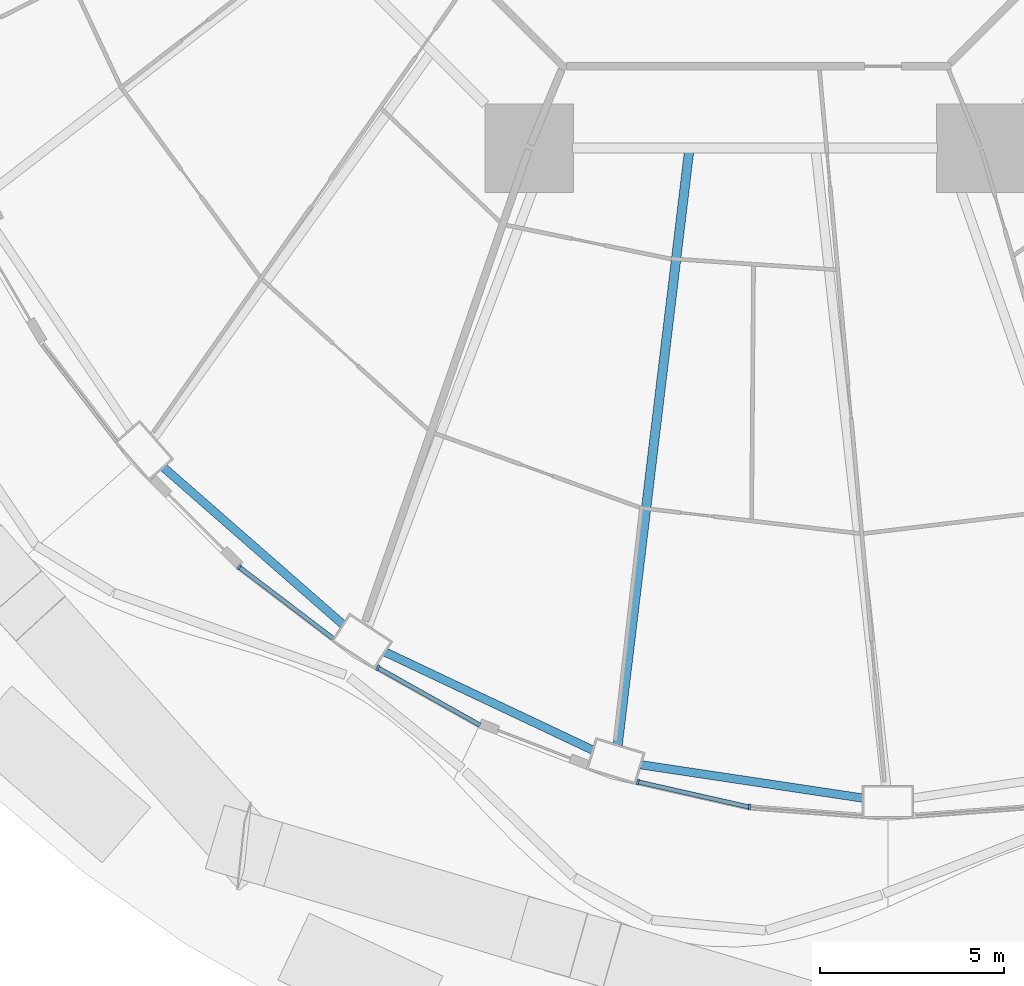
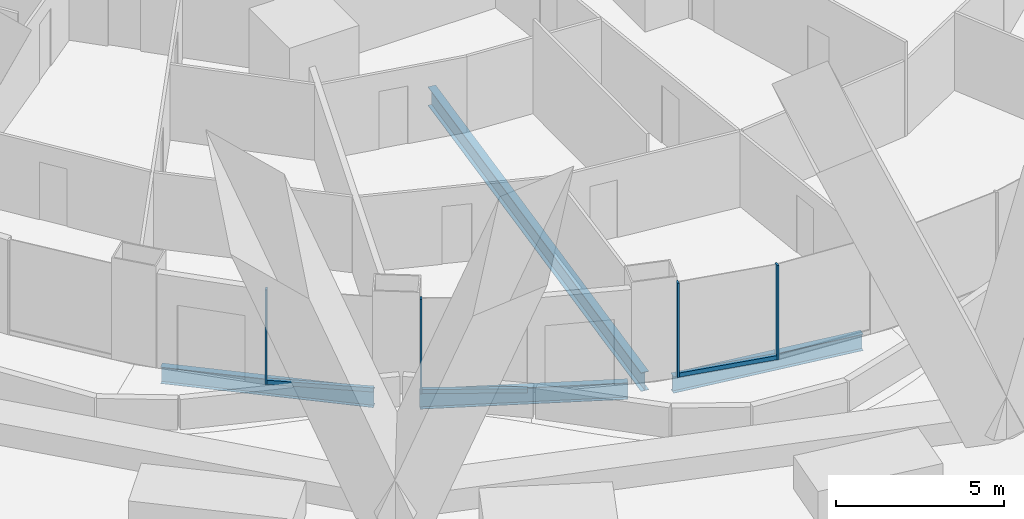
# One storey, part 2 of 42: 7 members, 4 beams, 4 elements without a shape of their own.
"""IFC4 building model written with IfcOpenShell, lengths in metres."""

from ifc_helpers import new_model, si_unit, direction, frame, origin, origin_2d, place, context, subcontext, project, spatial, rectangle, i_section, extrude, material, layer, layer_set, material_profile, profile_set, type_object, element, aggregate, save


model = new_model("IFC4")

# Units and contexts
model_context = context("Model", 3, precision=1e-05, world=origin(), true_north=direction((0.0, 1.0)))
body_context = subcontext(model_context, "Body", "Model", "MODEL_VIEW")
ifc_project = project(units=[si_unit("LENGTHUNIT", "METRE"), si_unit("AREAUNIT", "SQUARE_METRE"), si_unit("VOLUMEUNIT", "CUBIC_METRE"), si_unit("PLANEANGLEUNIT", "RADIAN"), si_unit("MASSUNIT", "GRAM", prefix="KILO")], contexts=[model_context])

# Site, building, storey
site_placement = place(None, origin())
site = spatial("IfcSite", under=ifc_project, at=site_placement, CompositionType="ELEMENT")
building_placement = place(site_placement, origin())
building = spatial("IfcBuilding", under=site, at=building_placement, Name="Nagisa Residences", CompositionType="ELEMENT")
storey_placement = place(building_placement, frame((0.0, 0.0, 27.0)))
storey = spatial("IfcBuildingStorey", under=building, at=storey_placement, Name="L05", CompositionType="ELEMENT", Elevation=27.0)

# Curtain wall, member
ifc_material_1 = material(Name="Concrete-coloured aluminium curtain wall system", Category="concrete")
ifc_layer = layer(ifc_material_1, 0.159912109375)
ifc_layer_set = layer_set([ifc_layer], Name="CW1 CURTAIN WALL")
curtain_wall_type = type_object("IfcCurtainWallType", Name="CW1 CURTAIN WALL", PredefinedType="NOTDEFINED", material=ifc_layer_set)
curtain_wall_1_placement = place(storey_placement, origin())
curtain_wall_1 = element("IfcCurtainWall", 1, at=curtain_wall_1_placement, inside=storey, type_object=curtain_wall_type, Name="cw:CW1:L05:31", PredefinedType="NOTDEFINED")
ifc_material_2 = material(Name="Concrete-coloured aluminium", Category="concrete")
ifc_material_profile_1 = material_profile(ifc_material_2, rectangle(XDim=0.159912109375, YDim=0.06005859375, at=origin_2d()), Name="CW1 MULLION 160x60")
ifc_profile_set_1 = profile_set([ifc_material_profile_1], Name="Concrete-coloured aluminium")
member_type_1 = type_object("IfcMemberType", Name="CW1 MULLION 160x60", PredefinedType="MULLION", material=ifc_profile_set_1)
member_1_placement = place(storey_placement, frame((-13.981689453125, -26.13525390625, 0.0), z_axis=(0.0, 0.0, 1.0), x_axis=(0.605255421737, 0.79603132756, 0.0)))
member_1 = element("IfcMember", 2, at=member_1_placement, type_object=member_type_1, Name="CW1 mullion", PredefinedType="MULLION", context=body_context, shape_type="SweptSolid", body=[
    extrude(rectangle(XDim=0.159912109375, YDim=0.06005859375, at=origin_2d()), origin(), (0.0, 0.0, 1.0), 3.43994140625),
])

curtain_wall_2_placement = place(storey_placement, origin())
curtain_wall_2 = element("IfcCurtainWall", 3, at=curtain_wall_2_placement, inside=storey, type_object=curtain_wall_type, Name="cw:CW1:L05:32", PredefinedType="NOTDEFINED")
member_2_placement = place(storey_placement, frame((-10.22412109375, -28.8662109375, 0.0), z_axis=(0.0, 0.0, 1.0), x_axis=(0.489376918501, 0.872072377523, 0.0)))
member_2 = element("IfcMember", 4, at=member_2_placement, type_object=member_type_1, Name="CW1 mullion", PredefinedType="MULLION", context=body_context, shape_type="SweptSolid", body=[
    extrude(rectangle(XDim=0.159912109375, YDim=0.06005859375, at=origin_2d()), origin(), (0.0, 0.0, 1.0), 3.43994140625),
])

curtain_wall_3_placement = place(storey_placement, origin())
curtain_wall_3 = element("IfcCurtainWall", 5, at=curtain_wall_3_placement, inside=storey, type_object=curtain_wall_type, Name="cw:CW1:L05:34", PredefinedType="NOTDEFINED")
member_3_placement = place(storey_placement, frame((-3.176025390625, -31.958740234375, 0.0), z_axis=(0.0, 0.0, 1.0), x_axis=(0.2207639201, 0.975327274089, 0.0)))
member_3 = element("IfcMember", 6, at=member_3_placement, type_object=member_type_1, Name="CW1 mullion", PredefinedType="MULLION", context=body_context, shape_type="SweptSolid", body=[
    extrude(rectangle(XDim=0.159912109375, YDim=0.06005859375, at=origin_2d()), origin(), (0.0, 0.0, 1.0), 3.43994140625),
])

curtain_wall_4_placement = place(storey_placement, origin())
curtain_wall_4 = element("IfcCurtainWall", 7, at=curtain_wall_4_placement, inside=storey, type_object=curtain_wall_type, Name="cw:CW1:L05:35", PredefinedType="NOTDEFINED")
member_4_placement = place(storey_placement, frame((-0.1494140625, -32.64013671875, 0.0), z_axis=(0.0, 0.0, 1.0), x_axis=(0.074377355493, 0.997230168512, 0.0)))
member_4 = element("IfcMember", 8, at=member_4_placement, type_object=member_type_1, Name="CW1 mullion", PredefinedType="MULLION", context=body_context, shape_type="SweptSolid", body=[
    extrude(rectangle(XDim=0.159912109375, YDim=0.06005859375, at=origin_2d()), origin(), (0.0, 0.0, 1.0), 3.43994140625),
])
aggregate(curtain_wall_4, [member_4])

# Member
ifc_material_3 = material(Name="Concrete-coloured aluminium", Category="concrete")
ifc_material_profile_2 = material_profile(ifc_material_3, rectangle(XDim=0.1201171875, YDim=0.14990234375, at=origin_2d()), Name="CW1 TRANSOM 120x150")
ifc_profile_set_2 = profile_set([ifc_material_profile_2], Name="Concrete-coloured aluminium")
member_type_2 = type_object("IfcMemberType", Name="CW1 TRANSOM 120x150", PredefinedType="USERDEFINED", material=ifc_profile_set_2)
member_5_placement = place(storey_placement, frame((-14.005615234375, -26.116943359375, 0.074951171875), z_axis=(0.796022293214, -0.605267303517, 0.0), x_axis=(0.605267303517, 0.796022293214, 0.0)))
member_5 = element("IfcMember", 9, at=member_5_placement, type_object=member_type_2, Name="CW1 transom", ObjectType="TRANSOM", PredefinedType="USERDEFINED", context=body_context, shape_type="SweptSolid", body=[
    extrude(rectangle(XDim=0.1201171875, YDim=0.14990234375, at=origin_2d()), origin(), (0.0, 0.0, 1.0), 3.262451171875),
])

aggregate(curtain_wall_1, [member_1, member_5])

member_6_placement = place(storey_placement, frame((-10.25048828125, -28.8515625, 0.074951171875), z_axis=(0.872070011948, -0.489381133946, 0.0), x_axis=(0.489381133946, 0.872070011948, 0.0)))
member_6 = element("IfcMember", 10, at=member_6_placement, type_object=member_type_2, Name="CW1 transom", ObjectType="TRANSOM", PredefinedType="USERDEFINED", context=body_context, shape_type="SweptSolid", body=[
    extrude(rectangle(XDim=0.1201171875, YDim=0.14990234375, at=origin_2d()), origin(), (0.0, 0.0, 1.0), 3.201171875),
])

aggregate(curtain_wall_2, [member_2, member_6])

member_7_placement = place(storey_placement, frame((-3.205322265625, -31.9521484375, 0.074951171875), z_axis=(0.97533495413, -0.220729987208, 0.0), x_axis=(0.220729987208, 0.97533495413, 0.0)))
member_7 = element("IfcMember", 11, at=member_7_placement, type_object=member_type_2, Name="CW1 transom", ObjectType="TRANSOM", PredefinedType="USERDEFINED", context=body_context, shape_type="SweptSolid", body=[
    extrude(rectangle(XDim=0.1201171875, YDim=0.14990234375, at=origin_2d()), origin(), (0.0, 0.0, 1.0), 3.11474609375),
])

aggregate(curtain_wall_3, [member_3, member_7])

# Beams
ifc_material_4 = material(Name="Steel ASTM A572 Gr 50", Category="steel")
ifc_material_profile_3 = material_profile(ifc_material_4, i_section(OverallWidth=0.22802734375, OverallDepth=0.60302734375, WebThickness=0.010498046875, FlangeThickness=0.014892578125, at=origin_2d()), Name="W610x101")
ifc_profile_set_3 = profile_set([ifc_material_profile_3], Name="Steel ASTM A572 Gr 50")
beam_type_1 = type_object("IfcBeamType", Name="Perimeter ring beam W610x101", PredefinedType="BEAM", material=ifc_profile_set_3)
beam_1_placement = place(storey_placement, frame((-16.0361328125, -23.432861328125, -0.5615234375), z_axis=(0.752574357292, -0.658507279191, 0.0), x_axis=(0.658507279191, 0.752574357292, 0.0)))
element("IfcBeam", 12, at=beam_1_placement, inside=storey, type_object=beam_type_1, Name="beam:L05:pb16", PredefinedType="BEAM", context=body_context, shape_type="SweptSolid", body=[
    extrude(i_section(OverallWidth=0.22802734375, OverallDepth=0.60302734375, WebThickness=0.010498046875, FlangeThickness=0.014892578125, at=origin_2d()), origin(), (0.0, 0.0, 1.0), 6.47021484375),
])
beam_2_placement = place(storey_placement, frame((-10.02880859375, -28.439208984375, -0.5615234375), z_axis=(0.904208275867, -0.427091786216, 0.0), x_axis=(0.427091786216, 0.904208275867, 0.0)))
element("IfcBeam", 13, at=beam_2_placement, inside=storey, type_object=beam_type_1, Name="beam:L05:pb17", PredefinedType="BEAM", context=body_context, shape_type="SweptSolid", body=[
    extrude(i_section(OverallWidth=0.22802734375, OverallDepth=0.60302734375, WebThickness=0.010498046875, FlangeThickness=0.014892578125, at=origin_2d()), origin(), (0.0, 0.0, 1.0), 6.227294921875),
])
beam_3_placement = place(storey_placement, frame((-3.096435546875, -31.49462890625, -0.5615234375), z_axis=(0.988914559467, -0.14848566959, 0.0), x_axis=(0.14848566959, 0.988914559467, 0.0)))
element("IfcBeam", 14, at=beam_3_placement, inside=storey, type_object=beam_type_1, Name="beam:L05:pb18", PredefinedType="BEAM", context=body_context, shape_type="SweptSolid", body=[
    extrude(i_section(OverallWidth=0.22802734375, OverallDepth=0.60302734375, WebThickness=0.010498046875, FlangeThickness=0.014892578125, at=origin_2d()), origin(), (0.0, 0.0, 1.0), 6.08349609375),
])
ifc_material_5 = material(Name="Steel ASTM A572 Gr 50", Category="steel")
ifc_material_profile_4 = material_profile(ifc_material_5, i_section(OverallWidth=0.25390625, OverallDepth=0.68408203125, WebThickness=0.012451171875, FlangeThickness=0.018798828125, at=origin_2d()), Name="W690x140")
ifc_profile_set_4 = profile_set([ifc_material_profile_4], Name="Steel ASTM A572 Gr 50")
beam_type_2 = type_object("IfcBeamType", Name="Radial beam W690x140", PredefinedType="BEAM", material=ifc_profile_set_4)
beam_4_placement = place(storey_placement, frame((-3.72412109375, -30.958740234375, -0.60205078125), z_axis=(0.119431411612, 0.992842453726, 0.0), x_axis=(-0.992842453726, 0.119431411612, 0.0)))
element("IfcBeam", 15, at=beam_4_placement, inside=storey, type_object=beam_type_2, Name="beam:L05:rb18", PredefinedType="BEAM", context=body_context, shape_type="SweptSolid", body=[
    extrude(i_section(OverallWidth=0.25390625, OverallDepth=0.68408203125, WebThickness=0.012451171875, FlangeThickness=0.018798828125, at=origin_2d()), origin(), (0.0, 0.0, 1.0), 16.1796875),
])

save(model, "model.ifc")
